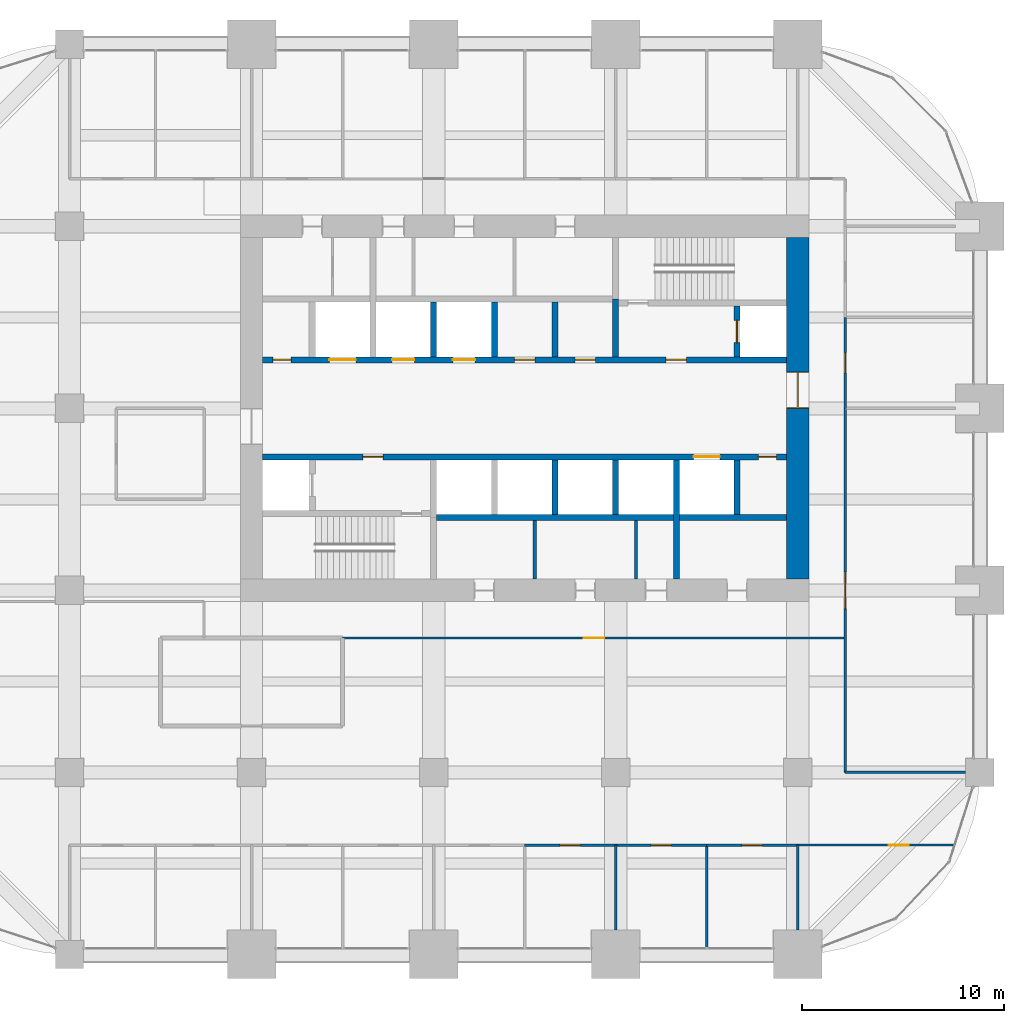
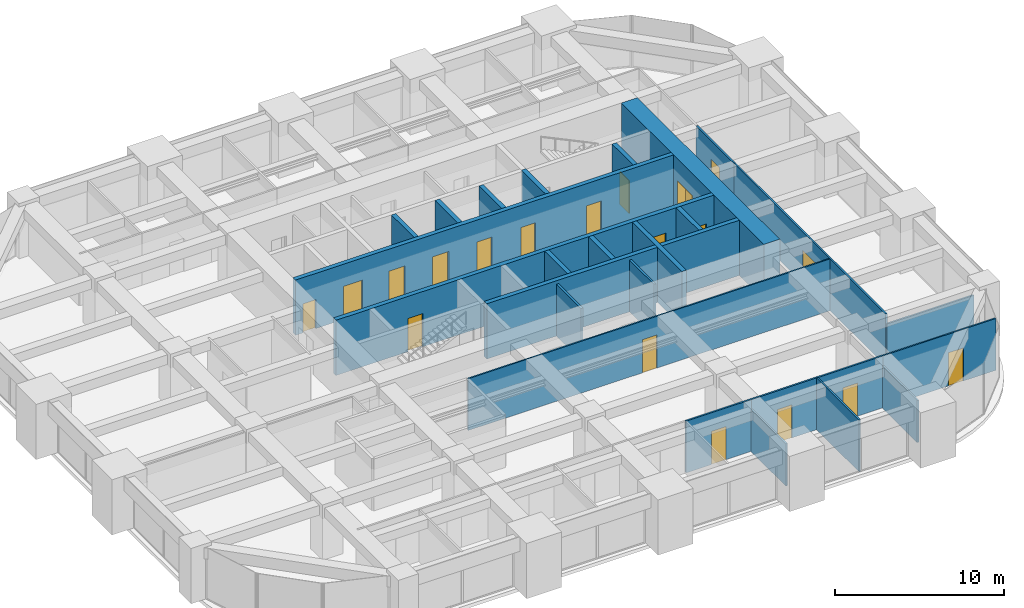
# One storey, part 30 of 33: 26 walls, 19 doors, 19 openings.
"""IFC4 building model written with IfcOpenShell, lengths in metres."""

from ifc_helpers import new_model, si_unit, direction, frame, frame_2d, origin, place, context, subcontext, project, spatial, rectangle, extrude, material, layer, layer_set, type_object, element, fill, save


model = new_model("IFC4")

# Units and contexts
model_context = context("Model", 3, precision=1e-05, world=origin(), true_north=direction((0.0, 1.0)))
body_context = subcontext(model_context, "Body", "Model", "MODEL_VIEW")
ifc_project = project(units=[si_unit("LENGTHUNIT", "METRE"), si_unit("AREAUNIT", "SQUARE_METRE"), si_unit("VOLUMEUNIT", "CUBIC_METRE"), si_unit("PLANEANGLEUNIT", "RADIAN"), si_unit("MASSUNIT", "GRAM", prefix="KILO")], contexts=[model_context])

# Site, building, storey
site_placement = place(None, origin())
site = spatial("IfcSite", under=ifc_project, at=site_placement, CompositionType="ELEMENT")
building_placement = place(site_placement, origin())
building = spatial("IfcBuilding", under=site, at=building_placement, Name="Zorevar Civic Tower", CompositionType="ELEMENT")
storey_placement = place(building_placement, frame((0.0, 0.0, 206.199951171875)))
storey = spatial("IfcBuildingStorey", under=building, at=storey_placement, Name="L50", CompositionType="ELEMENT", Elevation=206.199951171875)

# Wall, opening, door
ifc_material_1 = material(Name="Concrete C50/60", Category="concrete")
ifc_layer_1 = layer(ifc_material_1, 1.10009765625)
ifc_layer_set_1 = layer_set([ifc_layer_1], Name="Core wall 1100")
wall_type_1 = type_object("IfcWallType", Name="Core wall 1100", PredefinedType="SHEAR", material=ifc_layer_set_1)
wall_1_placement = place(storey_placement, frame((45.0, 18.550048828125, 0.0), z_axis=(0.0, 0.0, 1.0), x_axis=(0.0, 1.0, 0.0)))
wall_1 = element("IfcWall", 1, at=wall_1_placement, inside=storey, type_object=wall_type_1, Name="Core wall E L50", PredefinedType="SHEAR", context=body_context, shape_type="SweptSolid", body=[
    extrude(rectangle(XDim=16.89990234375, YDim=1.10009765625, at=frame_2d((8.449951171875, 0.0))), origin(), (0.0, 0.0, 1.0), 4.0),
])
opening_1_placement = place(wall_1_placement, frame((8.449951171875, 0.0, 0.0)))
opening_1 = element("IfcOpeningElement", 2, at=opening_1_placement, cuts=wall_1, Name="Opening L50.02", PredefinedType="OPENING", context=body_context, shape_type="SweptSolid", body=[
    extrude(rectangle(XDim=1.800048828125, YDim=2.39990234375, at=frame_2d((0.89990234375, 1.199951171875))), frame((0.0, 0.56005859375, 0.0), z_axis=(0.0, -1.0, 0.0), x_axis=(1.0, 0.0, 0.0)), (0.0, 0.0, 1.0), 1.1201171875),
])
ifc_material_2 = material(Name="Steel door set", Category="steel")
door_type_1 = type_object("IfcDoorType", Name="Fire door FD2 1800x2400", OperationType="DOUBLE_DOOR_DOUBLE_SWING", PredefinedType="DOOR", material=ifc_material_2)
door_1_placement = place(opening_1_placement, origin())
door_1 = element("IfcDoor", 3, at=door_1_placement, inside=storey, type_object=door_type_1, Name="Door L50 01", OperationType="DOUBLE_DOOR_DOUBLE_SWING", OverallHeight=2.39990234375, OverallWidth=1.800048828125, PredefinedType="DOOR", context=body_context, shape_type="SweptSolid", body=[
    extrude(rectangle(XDim=1.800048828125, YDim=2.39990234375, at=frame_2d((0.89990234375, 1.199951171875))), frame((0.0, 0.030029296875, 0.0), z_axis=(0.0, -1.0, 0.0), x_axis=(1.0, 0.0, 0.0)), (0.0, 0.0, 1.0), 0.06005859375),
    extrude(rectangle(XDim=0.04, YDim=2.39990234375, at=frame_2d((0.02001953125, 1.199951171875))), frame((0.0, 0.5498046875, 0.0), z_axis=(0.0, -1.0, 0.0), x_axis=(1.0, 0.0, 0.0)), (0.0, 0.0, 1.0), 1.099609375),
    extrude(rectangle(XDim=0.04, YDim=2.39990234375, at=frame_2d((1.780029296875, 1.199951171875))), frame((0.0, 0.5498046875, 0.0), z_axis=(0.0, -1.0, 0.0), x_axis=(1.0, 0.0, 0.0)), (0.0, 0.0, 1.0), 1.099609375),
    extrude(rectangle(XDim=1.800048828125, YDim=0.04, at=frame_2d((0.89990234375, 2.3798828125))), frame((0.0, 0.5498046875, 0.0), z_axis=(0.0, -1.0, 0.0), x_axis=(1.0, 0.0, 0.0)), (0.0, 0.0, 1.0), 1.099609375),
])
fill(opening_1, door_1)

ifc_material_3 = material(Name="Laminated glass in black aluminium frame", Category="aluminium")
ifc_layer_2 = layer(ifc_material_3, 0.10009765625)
ifc_layer_set_2 = layer_set([ifc_layer_2], Name="Glazed partition 100")
wall_type_2 = type_object("IfcWallType", Name="Glazed partition 100", PredefinedType="PARTITIONING", material=ifc_layer_set_2)
wall_2_placement = place(storey_placement, frame((45.0, 5.39990234375, 0.0), z_axis=(0.0, 0.0, 1.0), x_axis=(1.0, 0.0, 0.0)))
wall_2 = element("IfcWall", 4, at=wall_2_placement, inside=storey, type_object=wall_type_2, Name="Glazed partition 100 L50", PredefinedType="PARTITIONING", context=body_context, shape_type="SweptSolid", body=[
    extrude(rectangle(XDim=7.723388671875, YDim=0.10009765625, at=frame_2d((3.86181640625, 0.0))), origin(), (0.0, 0.0, 1.0), 3.75),
])
opening_2_placement = place(wall_2_placement, frame((4.5, 0.0, 0.0)))
opening_2 = element("IfcOpeningElement", 5, at=opening_2_placement, cuts=wall_2, Name="Opening L50.25", PredefinedType="OPENING", context=body_context, shape_type="SweptSolid", body=[
    extrude(rectangle(XDim=1.0, YDim=2.39990234375, at=frame_2d((0.5, 1.199951171875))), frame((0.0, 0.06005859375, 0.0), z_axis=(0.0, -1.0, 0.0), x_axis=(1.0, 0.0, 0.0)), (0.0, 0.0, 1.0), 0.1201171875),
])
ifc_material_4 = material(Name="Timber door set", Category="wood")
door_type_2 = type_object("IfcDoorType", Name="Glazed door GD1 1000x2400", OperationType="SINGLE_SWING_LEFT", PredefinedType="DOOR", material=ifc_material_4)
door_2_placement = place(opening_2_placement, origin())
door_2 = element("IfcDoor", 6, at=door_2_placement, inside=storey, type_object=door_type_2, Name="Door L50 D1", OperationType="SINGLE_SWING_LEFT", OverallHeight=2.39990234375, OverallWidth=1.0, PredefinedType="DOOR", context=body_context, shape_type="SweptSolid", body=[
    extrude(rectangle(XDim=1.0, YDim=2.39990234375, at=frame_2d((0.5, 1.199951171875))), frame((0.0, 0.02001953125, 0.0), z_axis=(0.0, -1.0, 0.0), x_axis=(1.0, 0.0, 0.0)), (0.0, 0.0, 1.0), 0.0400390625),
])
fill(opening_2, door_2)

wall_3_placement = place(storey_placement, frame((22.5, 15.64990234375, 0.0), z_axis=(0.0, 0.0, 1.0), x_axis=(1.0, 0.0, 0.0)))
wall_3 = element("IfcWall", 7, at=wall_3_placement, inside=storey, type_object=wall_type_2, Name="Glazed partition 100 L50", PredefinedType="PARTITIONING", context=body_context, shape_type="SweptSolid", body=[
    extrude(rectangle(XDim=24.85009765625, YDim=0.10009765625, at=frame_2d((12.425048828125, 0.0))), origin(), (0.0, 0.0, 1.0), 3.75),
])
opening_3_placement = place(wall_3_placement, frame((11.925048828125, 0.0, 0.0)))
opening_3 = element("IfcOpeningElement", 8, at=opening_3_placement, cuts=wall_3, Name="Opening L50.27", PredefinedType="OPENING", context=body_context, shape_type="SweptSolid", body=[
    extrude(rectangle(XDim=1.0, YDim=2.39990234375, at=frame_2d((0.5, 1.199951171875))), frame((0.0, 0.06005859375, 0.0), z_axis=(0.0, -1.0, 0.0), x_axis=(1.0, 0.0, 0.0)), (0.0, 0.0, 1.0), 0.1201171875),
])
door_3_placement = place(opening_3_placement, origin())
door_3 = element("IfcDoor", 9, at=door_3_placement, inside=storey, type_object=door_type_2, Name="Door L50 D1", OperationType="SINGLE_SWING_LEFT", OverallHeight=2.39990234375, OverallWidth=1.0, PredefinedType="DOOR", context=body_context, shape_type="SweptSolid", body=[
    extrude(rectangle(XDim=1.0, YDim=2.39990234375, at=frame_2d((0.5, 1.199951171875))), frame((0.0, 0.02001953125, 0.0), z_axis=(0.0, -1.0, 0.0), x_axis=(1.0, 0.0, 0.0)), (0.0, 0.0, 1.0), 0.0400390625),
])
fill(opening_3, door_3)

ifc_material_5 = material(Name="Concrete C40/50", Category="concrete")
ifc_layer_3 = layer(ifc_material_5, 0.300048828125)
ifc_layer_set_3 = layer_set([ifc_layer_3], Name="Inner core wall 300")
wall_type_3 = type_object("IfcWallType", Name="Inner core wall 300", PredefinedType="SHEAR", material=ifc_layer_set_3)
wall_4_placement = place(storey_placement, frame((42.0, 29.550048828125, 0.0), z_axis=(0.0, 0.0, 1.0), x_axis=(0.0, 1.0, 0.0)))
wall_4 = element("IfcWall", 10, at=wall_4_placement, inside=storey, type_object=wall_type_3, Name="Inner core wall N02 L50", PredefinedType="SHEAR", context=body_context, shape_type="SweptSolid", body=[
    extrude(rectangle(XDim=2.5, YDim=0.300048828125, at=frame_2d((1.25, 0.0))), origin(), (0.0, 0.0, 1.0), 4.0),
])
opening_4_placement = place(wall_4_placement, frame((0.699951171875, 0.0, 0.0)))
opening_4 = element("IfcOpeningElement", 11, at=opening_4_placement, cuts=wall_4, Name="Opening L50.FL2", PredefinedType="OPENING", context=body_context, shape_type="SweptSolid", body=[
    extrude(rectangle(XDim=1.10009765625, YDim=2.39990234375, at=frame_2d((0.550048828125, 1.199951171875))), frame((0.0, 0.159912109375, 0.0), z_axis=(0.0, -1.0, 0.0), x_axis=(1.0, 0.0, 0.0)), (0.0, 0.0, 1.0), 0.320068359375),
])
ifc_material_6 = material(Name="Steel door set", Category="steel")
door_type_3 = type_object("IfcDoorType", Name="Firefighting lift landing door LD3 1100x2400", OperationType="DOUBLE_DOOR_SLIDING", PredefinedType="DOOR", material=ifc_material_6)
door_4_placement = place(opening_4_placement, origin())
door_4 = element("IfcDoor", 12, at=door_4_placement, inside=storey, type_object=door_type_3, Name="Landing door FL2 L50", OperationType="DOUBLE_DOOR_SLIDING", OverallHeight=2.39990234375, OverallWidth=1.10009765625, PredefinedType="DOOR", context=body_context, shape_type="SweptSolid", body=[
    extrude(rectangle(XDim=1.10009765625, YDim=2.39990234375, at=frame_2d((0.550048828125, 1.199951171875))), frame((0.0, 0.030029296875, 0.0), z_axis=(0.0, -1.0, 0.0), x_axis=(1.0, 0.0, 0.0)), (0.0, 0.0, 1.0), 0.06005859375),
])
fill(opening_4, door_4)

# Wall, openings, doors
wall_5_placement = place(storey_placement, frame((18.550048828125, 24.60009765625, 0.0), z_axis=(0.0, 0.0, 1.0), x_axis=(1.0, 0.0, 0.0)))
wall_5 = element("IfcWall", 13, at=wall_5_placement, inside=storey, type_object=wall_type_3, Name="Inner core wall S03 L50", PredefinedType="SHEAR", context=body_context, shape_type="SweptSolid", body=[
    extrude(rectangle(XDim=25.89990234375, YDim=0.300048828125, at=frame_2d((12.949951171875, 0.0))), origin(), (0.0, 0.0, 1.0), 4.0),
])
opening_5_placement = place(wall_5_placement, frame((4.949951171875, 0.0, 0.0)))
opening_5 = element("IfcOpeningElement", 14, at=opening_5_placement, cuts=wall_5, Name="Opening L50.13", PredefinedType="OPENING", context=body_context, shape_type="SweptSolid", body=[
    extrude(rectangle(XDim=1.0, YDim=2.39990234375, at=frame_2d((0.5, 1.199951171875))), frame((0.0, 0.159912109375, 0.0), z_axis=(0.0, -1.0, 0.0), x_axis=(1.0, 0.0, 0.0)), (0.0, 0.0, 1.0), 0.320068359375),
])
opening_6_placement = place(wall_5_placement, frame((24.5, 0.0, 0.0)))
opening_6 = element("IfcOpeningElement", 15, at=opening_6_placement, cuts=wall_5, Name="Opening L50.15", PredefinedType="OPENING", context=body_context, shape_type="SweptSolid", body=[
    extrude(rectangle(XDim=0.89990234375, YDim=2.10009765625, at=frame_2d((0.449951171875, 1.050048828125))), frame((0.0, 0.159912109375, 0.0), z_axis=(0.0, -1.0, 0.0), x_axis=(1.0, 0.0, 0.0)), (0.0, 0.0, 1.0), 0.320068359375),
])
opening_7_placement = place(wall_5_placement, frame((21.300048828125, 0.0, 0.0)))
opening_7 = element("IfcOpeningElement", 16, at=opening_7_placement, cuts=wall_5, Name="Opening L50.SL1", PredefinedType="OPENING", context=body_context, shape_type="SweptSolid", body=[
    extrude(rectangle(XDim=1.300048828125, YDim=2.39990234375, at=frame_2d((0.64990234375, 1.199951171875))), frame((0.0, 0.159912109375, 0.0), z_axis=(0.0, -1.0, 0.0), x_axis=(1.0, 0.0, 0.0)), (0.0, 0.0, 1.0), 0.320068359375),
])
ifc_material_7 = material(Name="Steel door set", Category="steel")
door_type_4 = type_object("IfcDoorType", Name="Fire door FD1 1000x2400", OperationType="SINGLE_SWING_LEFT", PredefinedType="DOOR", material=ifc_material_7)
door_5_placement = place(opening_5_placement, origin())
door_5 = element("IfcDoor", 17, at=door_5_placement, inside=storey, type_object=door_type_4, Name="Door L50 12", OperationType="SINGLE_SWING_RIGHT", OverallHeight=2.39990234375, OverallWidth=1.0, PredefinedType="DOOR", context=body_context, shape_type="SweptSolid", body=[
    extrude(rectangle(XDim=1.0, YDim=2.39990234375, at=frame_2d((0.5, 1.199951171875))), frame((0.0, 0.030029296875, 0.0), z_axis=(0.0, -1.0, 0.0), x_axis=(1.0, 0.0, 0.0)), (0.0, 0.0, 1.0), 0.06005859375),
])
fill(opening_5, door_5)
ifc_material_8 = material(Name="Steel door set", Category="steel")
door_type_5 = type_object("IfcDoorType", Name="Landing door LD2 1300x2400", OperationType="DOUBLE_DOOR_SLIDING", PredefinedType="DOOR", material=ifc_material_8)
door_6_placement = place(opening_7_placement, origin())
door_6 = element("IfcDoor", 18, at=door_6_placement, inside=storey, type_object=door_type_5, Name="Landing door SL1 L50", OperationType="DOUBLE_DOOR_SLIDING", OverallHeight=2.39990234375, OverallWidth=1.300048828125, PredefinedType="DOOR", context=body_context, shape_type="SweptSolid", body=[
    extrude(rectangle(XDim=1.300048828125, YDim=2.39990234375, at=frame_2d((0.64990234375, 1.199951171875))), frame((0.0, 0.02001953125, 0.0), z_axis=(0.0, -1.0, 0.0), x_axis=(1.0, 0.0, 0.0)), (0.0, 0.0, 1.0), 0.0400390625),
])
fill(opening_7, door_6)
ifc_material_9 = material(Name="Steel door set", Category="steel")
door_type_6 = type_object("IfcDoorType", Name="Riser door RD1 900x2100", OperationType="SINGLE_SWING_LEFT", PredefinedType="DOOR", material=ifc_material_9)
door_7_placement = place(opening_6_placement, origin())
door_7 = element("IfcDoor", 19, at=door_7_placement, inside=storey, type_object=door_type_6, Name="Door L50 14", OperationType="SINGLE_SWING_RIGHT", OverallHeight=2.10009765625, OverallWidth=0.89990234375, PredefinedType="DOOR", context=body_context, shape_type="SweptSolid", body=[
    extrude(rectangle(XDim=0.89990234375, YDim=2.10009765625, at=frame_2d((0.449951171875, 1.050048828125))), frame((0.0, 0.030029296875, 0.0), z_axis=(0.0, -1.0, 0.0), x_axis=(1.0, 0.0, 0.0)), (0.0, 0.0, 1.0), 0.06005859375),
])
fill(opening_6, door_7)

wall_6_placement = place(storey_placement, frame((18.550048828125, 29.39990234375, 0.0), z_axis=(0.0, 0.0, 1.0), x_axis=(1.0, 0.0, 0.0)))
wall_6 = element("IfcWall", 20, at=wall_6_placement, inside=storey, type_object=wall_type_3, Name="Inner core wall N03 L50", PredefinedType="SHEAR", context=body_context, shape_type="SweptSolid", body=[
    extrude(rectangle(XDim=25.89990234375, YDim=0.300048828125, at=frame_2d((12.949951171875, 0.0))), origin(), (0.0, 0.0, 1.0), 4.0),
])
opening_8_placement = place(wall_6_placement, frame((19.949951171875, 0.0, 0.0)))
opening_8 = element("IfcOpeningElement", 21, at=opening_8_placement, cuts=wall_6, Name="Opening L50.14", PredefinedType="OPENING", context=body_context, shape_type="SweptSolid", body=[
    extrude(rectangle(XDim=1.0, YDim=2.39990234375, at=frame_2d((0.5, 1.199951171875))), frame((0.0, 0.159912109375, 0.0), z_axis=(0.0, -1.0, 0.0), x_axis=(1.0, 0.0, 0.0)), (0.0, 0.0, 1.0), 0.320068359375),
])
opening_9_placement = place(wall_6_placement, frame((0.5, 0.0, 0.0)))
opening_9 = element("IfcOpeningElement", 22, at=opening_9_placement, cuts=wall_6, Name="Opening L50.16", PredefinedType="OPENING", context=body_context, shape_type="SweptSolid", body=[
    extrude(rectangle(XDim=0.89990234375, YDim=2.10009765625, at=frame_2d((0.449951171875, 1.050048828125))), frame((0.0, 0.159912109375, 0.0), z_axis=(0.0, -1.0, 0.0), x_axis=(1.0, 0.0, 0.0)), (0.0, 0.0, 1.0), 0.320068359375),
])
opening_10_placement = place(wall_6_placement, frame((15.449951171875, 0.0, 0.0)))
opening_10 = element("IfcOpeningElement", 23, at=opening_10_placement, cuts=wall_6, Name="Opening L50.41", PredefinedType="OPENING", context=body_context, shape_type="SweptSolid", body=[
    extrude(rectangle(XDim=1.0, YDim=2.39990234375, at=frame_2d((0.5, 1.199951171875))), frame((0.0, 0.159912109375, 0.0), z_axis=(0.0, -1.0, 0.0), x_axis=(1.0, 0.0, 0.0)), (0.0, 0.0, 1.0), 0.320068359375),
])
opening_11_placement = place(wall_6_placement, frame((12.449951171875, 0.0, 0.0)))
opening_11 = element("IfcOpeningElement", 24, at=opening_11_placement, cuts=wall_6, Name="Opening L50.42", PredefinedType="OPENING", context=body_context, shape_type="SweptSolid", body=[
    extrude(rectangle(XDim=1.0, YDim=2.39990234375, at=frame_2d((0.5, 1.199951171875))), frame((0.0, 0.159912109375, 0.0), z_axis=(0.0, -1.0, 0.0), x_axis=(1.0, 0.0, 0.0)), (0.0, 0.0, 1.0), 0.320068359375),
])
opening_12_placement = place(wall_6_placement, frame((9.39990234375, 0.0, 0.0)))
opening_12 = element("IfcOpeningElement", 25, at=opening_12_placement, cuts=wall_6, Name="Opening L50.LH1", PredefinedType="OPENING", context=body_context, shape_type="SweptSolid", body=[
    extrude(rectangle(XDim=1.10009765625, YDim=2.39990234375, at=frame_2d((0.550048828125, 1.199951171875))), frame((0.0, 0.159912109375, 0.0), z_axis=(0.0, -1.0, 0.0), x_axis=(1.0, 0.0, 0.0)), (0.0, 0.0, 1.0), 0.320068359375),
])
opening_13_placement = place(wall_6_placement, frame((6.39990234375, 0.0, 0.0)))
opening_13 = element("IfcOpeningElement", 26, at=opening_13_placement, cuts=wall_6, Name="Opening L50.LH2", PredefinedType="OPENING", context=body_context, shape_type="SweptSolid", body=[
    extrude(rectangle(XDim=1.10009765625, YDim=2.39990234375, at=frame_2d((0.550048828125, 1.199951171875))), frame((0.0, 0.159912109375, 0.0), z_axis=(0.0, -1.0, 0.0), x_axis=(1.0, 0.0, 0.0)), (0.0, 0.0, 1.0), 0.320068359375),
])
opening_14_placement = place(wall_6_placement, frame((3.300048828125, 0.0, 0.0)))
opening_14 = element("IfcOpeningElement", 27, at=opening_14_placement, cuts=wall_6, Name="Opening L50.SL2", PredefinedType="OPENING", context=body_context, shape_type="SweptSolid", body=[
    extrude(rectangle(XDim=1.300048828125, YDim=2.39990234375, at=frame_2d((0.64990234375, 1.199951171875))), frame((0.0, 0.159912109375, 0.0), z_axis=(0.0, -1.0, 0.0), x_axis=(1.0, 0.0, 0.0)), (0.0, 0.0, 1.0), 0.320068359375),
])
door_8_placement = place(opening_8_placement, origin())
door_8 = element("IfcDoor", 28, at=door_8_placement, inside=storey, type_object=door_type_4, Name="Door L50 13", OperationType="SINGLE_SWING_RIGHT", OverallHeight=2.39990234375, OverallWidth=1.0, PredefinedType="DOOR", context=body_context, shape_type="SweptSolid", body=[
    extrude(rectangle(XDim=1.0, YDim=2.39990234375, at=frame_2d((0.5, 1.199951171875))), frame((0.0, 0.030029296875, 0.0), z_axis=(0.0, -1.0, 0.0), x_axis=(1.0, 0.0, 0.0)), (0.0, 0.0, 1.0), 0.06005859375),
])
fill(opening_8, door_8)
door_9_placement = place(opening_10_placement, origin())
door_9 = element("IfcDoor", 29, at=door_9_placement, inside=storey, type_object=door_type_4, Name="Door L50 LM1 shaft room", OperationType="SINGLE_SWING_LEFT", OverallHeight=2.39990234375, OverallWidth=1.0, PredefinedType="DOOR", context=body_context, shape_type="SweptSolid", body=[
    extrude(rectangle(XDim=1.0, YDim=2.39990234375, at=frame_2d((0.5, 1.199951171875))), frame((0.0, 0.030029296875, 0.0), z_axis=(0.0, -1.0, 0.0), x_axis=(1.0, 0.0, 0.0)), (0.0, 0.0, 1.0), 0.06005859375),
])
fill(opening_10, door_9)
door_10_placement = place(opening_11_placement, origin())
door_10 = element("IfcDoor", 30, at=door_10_placement, inside=storey, type_object=door_type_4, Name="Door L50 LM2 shaft room", OperationType="SINGLE_SWING_LEFT", OverallHeight=2.39990234375, OverallWidth=1.0, PredefinedType="DOOR", context=body_context, shape_type="SweptSolid", body=[
    extrude(rectangle(XDim=1.0, YDim=2.39990234375, at=frame_2d((0.5, 1.199951171875))), frame((0.0, 0.030029296875, 0.0), z_axis=(0.0, -1.0, 0.0), x_axis=(1.0, 0.0, 0.0)), (0.0, 0.0, 1.0), 0.06005859375),
])
fill(opening_11, door_10)
ifc_material_10 = material(Name="Steel door set", Category="steel")
door_type_7 = type_object("IfcDoorType", Name="Landing door LD1 1100x2400", OperationType="DOUBLE_DOOR_SLIDING", PredefinedType="DOOR", material=ifc_material_10)
door_11_placement = place(opening_12_placement, origin())
door_11 = element("IfcDoor", 31, at=door_11_placement, inside=storey, type_object=door_type_7, Name="Landing door LH1 L50", OperationType="DOUBLE_DOOR_SLIDING", OverallHeight=2.39990234375, OverallWidth=1.10009765625, PredefinedType="DOOR", context=body_context, shape_type="SweptSolid", body=[
    extrude(rectangle(XDim=1.10009765625, YDim=2.39990234375, at=frame_2d((0.550048828125, 1.199951171875))), frame((0.0, 0.02001953125, 0.0), z_axis=(0.0, -1.0, 0.0), x_axis=(1.0, 0.0, 0.0)), (0.0, 0.0, 1.0), 0.0400390625),
])
fill(opening_12, door_11)
door_12_placement = place(opening_13_placement, origin())
door_12 = element("IfcDoor", 32, at=door_12_placement, inside=storey, type_object=door_type_7, Name="Landing door LH2 L50", OperationType="DOUBLE_DOOR_SLIDING", OverallHeight=2.39990234375, OverallWidth=1.10009765625, PredefinedType="DOOR", context=body_context, shape_type="SweptSolid", body=[
    extrude(rectangle(XDim=1.10009765625, YDim=2.39990234375, at=frame_2d((0.550048828125, 1.199951171875))), frame((0.0, 0.02001953125, 0.0), z_axis=(0.0, -1.0, 0.0), x_axis=(1.0, 0.0, 0.0)), (0.0, 0.0, 1.0), 0.0400390625),
])
fill(opening_13, door_12)
door_13_placement = place(opening_14_placement, origin())
door_13 = element("IfcDoor", 33, at=door_13_placement, inside=storey, type_object=door_type_5, Name="Landing door SL2 L50", OperationType="DOUBLE_DOOR_SLIDING", OverallHeight=2.39990234375, OverallWidth=1.300048828125, PredefinedType="DOOR", context=body_context, shape_type="SweptSolid", body=[
    extrude(rectangle(XDim=1.300048828125, YDim=2.39990234375, at=frame_2d((0.64990234375, 1.199951171875))), frame((0.0, 0.02001953125, 0.0), z_axis=(0.0, -1.0, 0.0), x_axis=(1.0, 0.0, 0.0)), (0.0, 0.0, 1.0), 0.0400390625),
])
fill(opening_14, door_13)
door_14_placement = place(opening_9_placement, origin())
door_14 = element("IfcDoor", 34, at=door_14_placement, inside=storey, type_object=door_type_6, Name="Door L50 15", OperationType="SINGLE_SWING_RIGHT", OverallHeight=2.10009765625, OverallWidth=0.89990234375, PredefinedType="DOOR", context=body_context, shape_type="SweptSolid", body=[
    extrude(rectangle(XDim=0.89990234375, YDim=2.10009765625, at=frame_2d((0.449951171875, 1.050048828125))), frame((0.0, 0.030029296875, 0.0), z_axis=(0.0, -1.0, 0.0), x_axis=(1.0, 0.0, 0.0)), (0.0, 0.0, 1.0), 0.06005859375),
])
fill(opening_9, door_14)

# Walls
wall_7_placement = place(storey_placement, frame((27.14990234375, 21.60009765625, 0.0), z_axis=(0.0, 0.0, 1.0), x_axis=(1.0, 0.0, 0.0)))
element("IfcWall", 35, at=wall_7_placement, inside=storey, type_object=wall_type_3, Name="Inner core wall S04 L50", PredefinedType="SHEAR", context=body_context, shape_type="SweptSolid", body=[
    extrude(rectangle(XDim=17.300048828125, YDim=0.300048828125, at=frame_2d((8.64990234375, 0.0))), origin(), (0.0, 0.0, 1.0), 4.0),
])
for number, where, z_axis, x_axis, name in (
    (36, (33.0, 29.550048828125, 0.0), (0.0, 0.0, 1.0), (0.0, 1.0, 0.0), "Inner core wall N05 L50"),
    (37, (33.0, 21.75, 0.0), (0.0, 0.0, 1.0), (0.0, 1.0, 0.0), "Inner core wall S06 L50"),
    (38, (30.0, 29.550048828125, 0.0), (0.0, 0.0, 1.0), (0.0, 1.0, 0.0), "Inner core wall N06 L50"),
    (39, (36.0, 21.75, 0.0), (0.0, 0.0, 1.0), (0.0, 1.0, 0.0), "Inner core wall S07 L50"),
    (40, (27.0, 29.550048828125, 0.0), (0.0, 0.0, 1.0), (0.0, 1.0, 0.0), "Inner core wall N07 L50"),
):
    element("IfcWall", number, at=place(storey_placement, frame(where, z_axis=z_axis, x_axis=x_axis)), inside=storey, type_object=wall_type_3, Name=name, PredefinedType="SHEAR", context=body_context, shape_type="SweptSolid", body=[
        extrude(rectangle(XDim=2.699951171875, YDim=0.300048828125, at=frame_2d((1.35009765625, 0.0))), origin(), (0.0, 0.0, 1.0), 4.0),
    ])
wall_8_placement = place(storey_placement, frame((39.0, 18.550048828125, 0.0), z_axis=(0.0, 0.0, 1.0), x_axis=(0.0, 1.0, 0.0)))
element("IfcWall", 41, at=wall_8_placement, inside=storey, type_object=wall_type_3, Name="Inner core wall S08 L50", PredefinedType="SHEAR", context=body_context, shape_type="SweptSolid", body=[
    extrude(rectangle(XDim=5.89990234375, YDim=0.300048828125, at=frame_2d((2.949951171875, 0.0))), origin(), (0.0, 0.0, 1.0), 4.0),
])
wall_9_placement = place(storey_placement, frame((42.0, 21.75, 0.0), z_axis=(0.0, 0.0, 1.0), x_axis=(0.0, 1.0, 0.0)))
element("IfcWall", 42, at=wall_9_placement, inside=storey, type_object=wall_type_3, Name="Inner core wall S09 L50", PredefinedType="SHEAR", context=body_context, shape_type="SweptSolid", body=[
    extrude(rectangle(XDim=2.699951171875, YDim=0.300048828125, at=frame_2d((1.35009765625, 0.0))), origin(), (0.0, 0.0, 1.0), 4.0),
])
wall_10_placement = place(storey_placement, frame((36.0, 29.550048828125, 0.0), z_axis=(0.0, 0.0, 1.0), x_axis=(0.0, 1.0, 0.0)))
element("IfcWall", 43, at=wall_10_placement, inside=storey, type_object=wall_type_3, Name="Inner core wall N10 L50", PredefinedType="SHEAR", context=body_context, shape_type="SweptSolid", body=[
    extrude(rectangle(XDim=2.849853515625, YDim=0.300048828125, at=frame_2d((1.4248046875, 0.0))), origin(), (0.0, 0.0, 1.0), 4.0),
])

# Wall, opening, door
ifc_material_11 = material(Name="Gypsum board on steel studs", Category="steel")
ifc_layer_4 = layer(ifc_material_11, 0.1201171875)
ifc_layer_set_4 = layer_set([ifc_layer_4], Name="Partition 120")
wall_type_4 = type_object("IfcWallType", Name="Partition 120", PredefinedType="PARTITIONING", material=ifc_layer_set_4)
wall_11_placement = place(storey_placement, frame((31.5, 5.39990234375, 0.0), z_axis=(0.0, 0.0, 1.0), x_axis=(1.0, 0.0, 0.0)))
wall_11 = element("IfcWall", 44, at=wall_11_placement, inside=storey, type_object=wall_type_4, Name="Partition 120 L50", PredefinedType="PARTITIONING", context=body_context, shape_type="SweptSolid", body=[
    extrude(rectangle(XDim=4.5, YDim=0.1201171875, at=frame_2d((2.25, 0.0))), origin(), (0.0, 0.0, 1.0), 3.75),
])
opening_15_placement = place(wall_11_placement, frame((1.75, 0.0, 0.0)))
opening_15 = element("IfcOpeningElement", 45, at=opening_15_placement, cuts=wall_11, Name="Opening L50.22", PredefinedType="OPENING", context=body_context, shape_type="SweptSolid", body=[
    extrude(rectangle(XDim=1.0, YDim=2.39990234375, at=frame_2d((0.5, 1.199951171875))), frame((0.0, 0.070068359375, 0.0), z_axis=(0.0, -1.0, 0.0), x_axis=(1.0, 0.0, 0.0)), (0.0, 0.0, 1.0), 0.14013671875),
])
ifc_material_12 = material(Name="Timber door set", Category="wood")
door_type_8 = type_object("IfcDoorType", Name="Door D1 1000x2400", OperationType="SINGLE_SWING_LEFT", PredefinedType="DOOR", material=ifc_material_12)
door_15_placement = place(opening_15_placement, origin())
door_15 = element("IfcDoor", 46, at=door_15_placement, inside=storey, type_object=door_type_8, Name="Door L50 D1", OperationType="SINGLE_SWING_LEFT", OverallHeight=2.39990234375, OverallWidth=1.0, PredefinedType="DOOR", context=body_context, shape_type="SweptSolid", body=[
    extrude(rectangle(XDim=1.0, YDim=2.39990234375, at=frame_2d((0.5, 1.199951171875))), frame((0.0, 0.02490234375, 0.0), z_axis=(0.0, -1.0, 0.0), x_axis=(1.0, 0.0, 0.0)), (0.0, 0.0, 1.0), 0.050048828125),
])
fill(opening_15, door_15)

wall_12_placement = place(storey_placement, frame((36.0, 5.39990234375, 0.0), z_axis=(0.0, 0.0, 1.0), x_axis=(1.0, 0.0, 0.0)))
wall_12 = element("IfcWall", 47, at=wall_12_placement, inside=storey, type_object=wall_type_4, Name="Partition 120 L50", PredefinedType="PARTITIONING", context=body_context, shape_type="SweptSolid", body=[
    extrude(rectangle(XDim=4.5, YDim=0.1201171875, at=frame_2d((2.25, 0.0))), origin(), (0.0, 0.0, 1.0), 3.75),
])
opening_16_placement = place(wall_12_placement, frame((1.75, 0.0, 0.0)))
opening_16 = element("IfcOpeningElement", 48, at=opening_16_placement, cuts=wall_12, Name="Opening L50.23", PredefinedType="OPENING", context=body_context, shape_type="SweptSolid", body=[
    extrude(rectangle(XDim=1.0, YDim=2.39990234375, at=frame_2d((0.5, 1.199951171875))), frame((0.0, 0.070068359375, 0.0), z_axis=(0.0, -1.0, 0.0), x_axis=(1.0, 0.0, 0.0)), (0.0, 0.0, 1.0), 0.14013671875),
])
door_16_placement = place(opening_16_placement, origin())
door_16 = element("IfcDoor", 49, at=door_16_placement, inside=storey, type_object=door_type_8, Name="Door L50 D1", OperationType="SINGLE_SWING_LEFT", OverallHeight=2.39990234375, OverallWidth=1.0, PredefinedType="DOOR", context=body_context, shape_type="SweptSolid", body=[
    extrude(rectangle(XDim=1.0, YDim=2.39990234375, at=frame_2d((0.5, 1.199951171875))), frame((0.0, 0.02490234375, 0.0), z_axis=(0.0, -1.0, 0.0), x_axis=(1.0, 0.0, 0.0)), (0.0, 0.0, 1.0), 0.050048828125),
])
fill(opening_16, door_16)

wall_13_placement = place(storey_placement, frame((40.5, 5.39990234375, 0.0), z_axis=(0.0, 0.0, 1.0), x_axis=(1.0, 0.0, 0.0)))
wall_13 = element("IfcWall", 50, at=wall_13_placement, inside=storey, type_object=wall_type_4, Name="Partition 120 L50", PredefinedType="PARTITIONING", context=body_context, shape_type="SweptSolid", body=[
    extrude(rectangle(XDim=4.5, YDim=0.1201171875, at=frame_2d((2.25, 0.0))), origin(), (0.0, 0.0, 1.0), 3.75),
])
opening_17_placement = place(wall_13_placement, frame((1.75, 0.0, 0.0)))
opening_17 = element("IfcOpeningElement", 51, at=opening_17_placement, cuts=wall_13, Name="Opening L50.24", PredefinedType="OPENING", context=body_context, shape_type="SweptSolid", body=[
    extrude(rectangle(XDim=1.0, YDim=2.39990234375, at=frame_2d((0.5, 1.199951171875))), frame((0.0, 0.070068359375, 0.0), z_axis=(0.0, -1.0, 0.0), x_axis=(1.0, 0.0, 0.0)), (0.0, 0.0, 1.0), 0.14013671875),
])
door_17_placement = place(opening_17_placement, origin())
door_17 = element("IfcDoor", 52, at=door_17_placement, inside=storey, type_object=door_type_8, Name="Door L50 D1", OperationType="SINGLE_SWING_LEFT", OverallHeight=2.39990234375, OverallWidth=1.0, PredefinedType="DOOR", context=body_context, shape_type="SweptSolid", body=[
    extrude(rectangle(XDim=1.0, YDim=2.39990234375, at=frame_2d((0.5, 1.199951171875))), frame((0.0, 0.02490234375, 0.0), z_axis=(0.0, -1.0, 0.0), x_axis=(1.0, 0.0, 0.0)), (0.0, 0.0, 1.0), 0.050048828125),
])
fill(opening_17, door_17)

# Walls
wall_14_placement = place(storey_placement, frame((47.35009765625, 9.0, 0.0), z_axis=(0.0, 0.0, 1.0), x_axis=(1.0, 0.0, 0.0)))
element("IfcWall", 53, at=wall_14_placement, inside=storey, type_object=wall_type_4, Name="Partition 120 L50", PredefinedType="PARTITIONING", context=body_context, shape_type="SweptSolid", body=[
    extrude(rectangle(XDim=5.949951171875, YDim=0.1201171875, at=frame_2d((2.97509765625, 0.0))), origin(), (0.0, 0.0, 1.0), 3.050048828125),
])
wall_15_placement = place(storey_placement, frame((36.0, 1.199951171875, 0.0), z_axis=(0.0, 0.0, 1.0), x_axis=(0.0, 1.0, 0.0)))
element("IfcWall", 54, at=wall_15_placement, inside=storey, type_object=wall_type_4, Name="Partition 120 L50", PredefinedType="PARTITIONING", context=body_context, shape_type="SweptSolid", body=[
    extrude(rectangle(XDim=4.199951171875, YDim=0.1201171875, at=frame_2d((2.10009765625, 0.0))), origin(), (0.0, 0.0, 1.0), 3.050048828125),
])
wall_16_placement = place(storey_placement, frame((40.5, 0.31005859375, 0.0), z_axis=(0.0, 0.0, 1.0), x_axis=(0.0, 1.0, 0.0)))
element("IfcWall", 55, at=wall_16_placement, inside=storey, type_object=wall_type_4, Name="Partition 120 L50", PredefinedType="PARTITIONING", context=body_context, shape_type="SweptSolid", body=[
    extrude(rectangle(XDim=5.08984375, YDim=0.1201171875, at=frame_2d((2.544921875, 0.0))), origin(), (0.0, 0.0, 1.0), 3.75),
])
wall_17_placement = place(storey_placement, frame((45.0, 1.199951171875, 0.0), z_axis=(0.0, 0.0, 1.0), x_axis=(0.0, 1.0, 0.0)))
element("IfcWall", 56, at=wall_17_placement, inside=storey, type_object=wall_type_4, Name="Partition 120 L50", PredefinedType="PARTITIONING", context=body_context, shape_type="SweptSolid", body=[
    extrude(rectangle(XDim=4.199951171875, YDim=0.1201171875, at=frame_2d((2.10009765625, 0.0))), origin(), (0.0, 0.0, 1.0), 3.050048828125),
])

# Wall, opening, door
wall_18_placement = place(storey_placement, frame((47.35009765625, 9.0, 0.0), z_axis=(0.0, 0.0, 1.0), x_axis=(0.0, 1.0, 0.0)))
wall_18 = element("IfcWall", 57, at=wall_18_placement, inside=storey, type_object=wall_type_4, Name="Partition 120 L50", PredefinedType="PARTITIONING", context=body_context, shape_type="SweptSolid", body=[
    extrude(rectangle(XDim=18.0, YDim=0.1201171875, at=frame_2d((9.0, 0.0))), origin(), (0.0, 0.0, 1.0), 3.75),
])
opening_18_placement = place(wall_18_placement, frame((8.10009765625, 0.0, 0.0)))
opening_18 = element("IfcOpeningElement", 58, at=opening_18_placement, cuts=wall_18, Name="Opening L50.37", PredefinedType="OPENING", context=body_context, shape_type="SweptSolid", body=[
    extrude(rectangle(XDim=1.800048828125, YDim=2.39990234375, at=frame_2d((0.89990234375, 1.199951171875))), frame((0.0, 0.070068359375, 0.0), z_axis=(0.0, -1.0, 0.0), x_axis=(1.0, 0.0, 0.0)), (0.0, 0.0, 1.0), 0.14013671875),
])
ifc_material_13 = material(Name="Steel door set", Category="steel")
door_type_9 = type_object("IfcDoorType", Name="Door D2 1800x2400", OperationType="DOUBLE_DOOR_SINGLE_SWING", PredefinedType="DOOR", material=ifc_material_13)
door_18_placement = place(opening_18_placement, origin())
door_18 = element("IfcDoor", 59, at=door_18_placement, inside=storey, type_object=door_type_9, Name="Door L50 D1", OperationType="DOUBLE_DOOR_SINGLE_SWING", OverallHeight=2.39990234375, OverallWidth=1.800048828125, PredefinedType="DOOR", context=body_context, shape_type="SweptSolid", body=[
    extrude(rectangle(XDim=1.800048828125, YDim=2.39990234375, at=frame_2d((0.89990234375, 1.199951171875))), frame((0.0, 0.02490234375, 0.0), z_axis=(0.0, -1.0, 0.0), x_axis=(1.0, 0.0, 0.0)), (0.0, 0.0, 1.0), 0.050048828125),
])
fill(opening_18, door_18)

wall_19_placement = place(storey_placement, frame((47.35009765625, 27.0, 0.0), z_axis=(0.0, 0.0, 1.0), x_axis=(0.0, 1.0, 0.0)))
wall_19 = element("IfcWall", 60, at=wall_19_placement, inside=storey, type_object=wall_type_4, Name="Partition 120 L50", PredefinedType="PARTITIONING", context=body_context, shape_type="SweptSolid", body=[
    extrude(rectangle(XDim=4.5, YDim=0.1201171875, at=frame_2d((2.25, 0.0))), origin(), (0.0, 0.0, 1.0), 3.75),
])
opening_19_placement = place(wall_19_placement, frame((1.75, 0.0, 0.0)))
opening_19 = element("IfcOpeningElement", 61, at=opening_19_placement, cuts=wall_19, Name="Opening L50.38", PredefinedType="OPENING", context=body_context, shape_type="SweptSolid", body=[
    extrude(rectangle(XDim=1.0, YDim=2.39990234375, at=frame_2d((0.5, 1.199951171875))), frame((0.0, 0.070068359375, 0.0), z_axis=(0.0, -1.0, 0.0), x_axis=(1.0, 0.0, 0.0)), (0.0, 0.0, 1.0), 0.14013671875),
])
door_19_placement = place(opening_19_placement, origin())
door_19 = element("IfcDoor", 62, at=door_19_placement, inside=storey, type_object=door_type_8, Name="Door L50 D1", OperationType="SINGLE_SWING_LEFT", OverallHeight=2.39990234375, OverallWidth=1.0, PredefinedType="DOOR", context=body_context, shape_type="SweptSolid", body=[
    extrude(rectangle(XDim=1.0, YDim=2.39990234375, at=frame_2d((0.5, 1.199951171875))), frame((0.0, 0.02490234375, 0.0), z_axis=(0.0, -1.0, 0.0), x_axis=(1.0, 0.0, 0.0)), (0.0, 0.0, 1.0), 0.050048828125),
])
fill(opening_19, door_19)

# Walls
ifc_material_14 = material(Name="Gypsum board on steel studs, moisture resistant", Category="steel")
ifc_layer_5 = layer(ifc_material_14, 0.14990234375)
ifc_layer_set_5 = layer_set([ifc_layer_5], Name="WC partition 150")
wall_type_5 = type_object("IfcWallType", Name="WC partition 150", PredefinedType="PARTITIONING", material=ifc_layer_set_5)
for number, where, z_axis, x_axis, name in (
    (63, (32.0, 18.550048828125, 0.0), (0.0, 0.0, 1.0), (0.0, 1.0, 0.0), "WC partition L50"),
    (64, (37.0, 18.550048828125, 0.0), (0.0, 0.0, 1.0), (0.0, 1.0, 0.0), "WC partition L50"),
):
    element("IfcWall", number, at=place(storey_placement, frame(where, z_axis=z_axis, x_axis=x_axis)), inside=storey, type_object=wall_type_5, Name=name, PredefinedType="PARTITIONING", context=body_context, shape_type="SweptSolid", body=[
        extrude(rectangle(XDim=2.89990234375, YDim=0.14990234375, at=frame_2d((1.449951171875, 0.0))), origin(), (0.0, 0.0, 1.0), 3.75),
    ])

save(model, "model.ifc")
